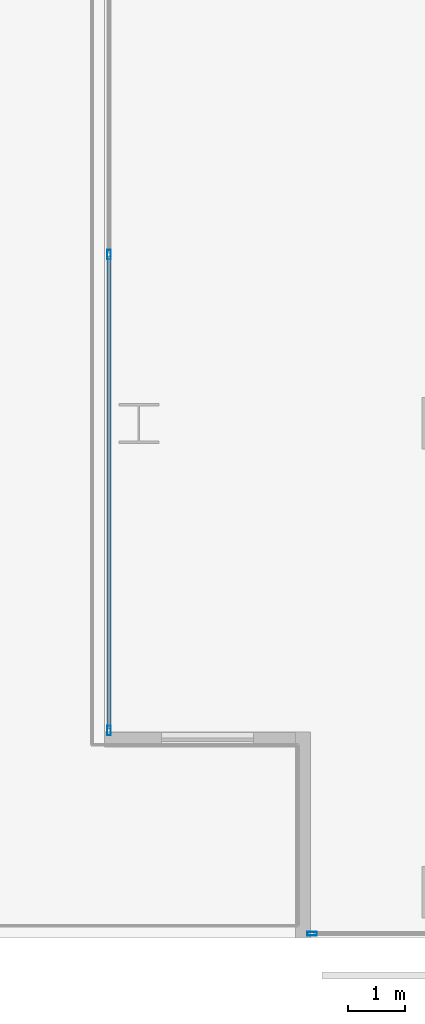
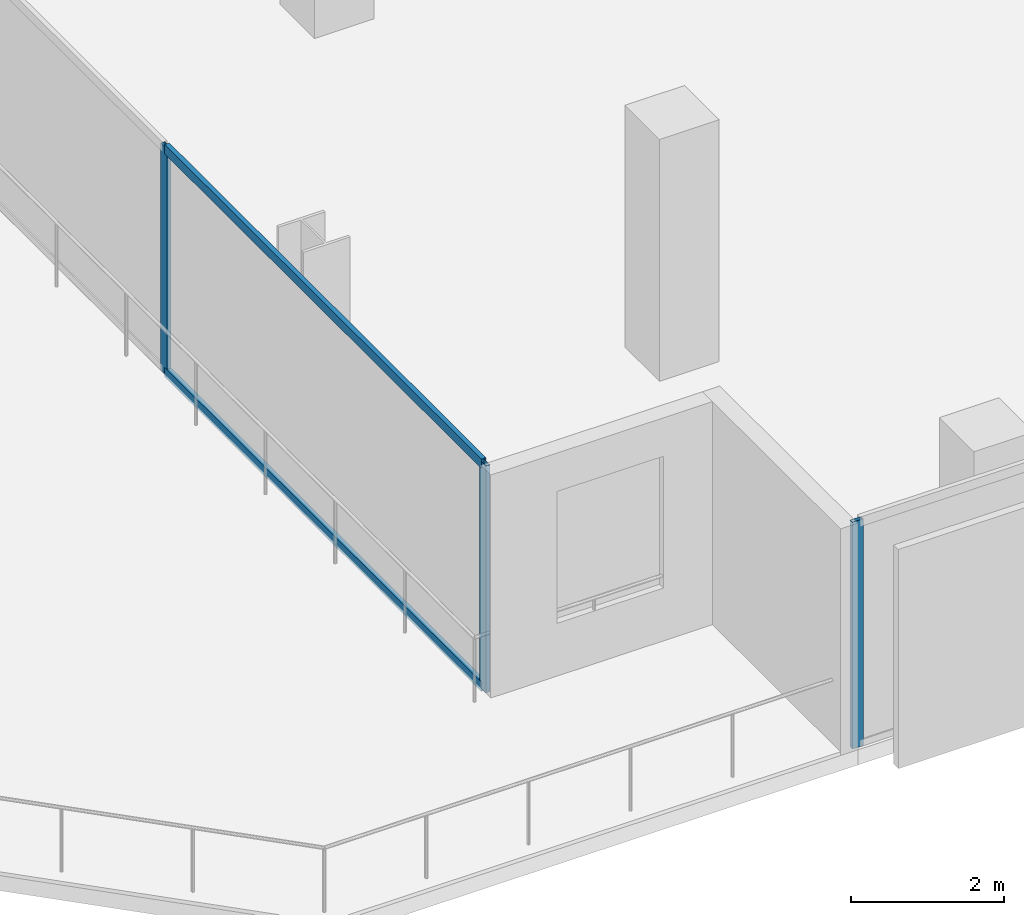
# One storey, part 2 of 31: 5 members, 2 elements without a shape of their own.
"""IFC4 building model written with IfcOpenShell, lengths in metres."""

import ifcopenshell
import ifcopenshell.guid

model = None  # the IFC model being written
_history = None  # IfcOwnerHistory: only IFC2X3 demands one
_inside = {}  # id of a spatial element -> (the spatial element, [elements in it])
_under = {}  # id of a project, library or spatial element -> (it, [spatial elements below it])
_declared = {}  # id of a project -> (the project, [libraries it declares])
_typed = {}  # id of a type object -> (the type object, [elements of that type])
_made_of = {}  # id of a material, layer set ... -> (it, [elements and type objects made of it])


def new_model(schema):
    """Start an empty IFC model of exactly this schema.

    Asked for "IFC4X3", IfcOpenShell would pick the latest addendum, in which some entities
    have other attributes; the version numbers below select the first issue.
    IFC2X3 requires an IfcOwnerHistory on every rooted entity: one is made here for all.
    """
    global model, _history
    if schema == "IFC4X3":
        model = ifcopenshell.file(schema_version=(4, 3, 0, 0))
    else:
        model = ifcopenshell.file(schema=schema)
    _inside.clear()
    _under.clear()
    _declared.clear()
    _typed.clear()
    _made_of.clear()
    _history = None
    if model.schema == "IFC2X3":
        org = make("IfcOrganization", Name="unknown")
        user = make(
            "IfcPersonAndOrganization",
            ThePerson=make("IfcPerson", FamilyName="unknown"),
            TheOrganization=org,
        )
        app = make(
            "IfcApplication",
            ApplicationDeveloper=org,
            Version="unknown",
            ApplicationFullName="unknown",
            ApplicationIdentifier="unknown",
        )
        _history = make(
            "IfcOwnerHistory",
            OwningUser=user,
            OwningApplication=app,
            ChangeAction="ADDED",
            CreationDate=0,
        )
    return model


def make(cls, **values):
    """One entity of the class cls with the attributes given. An attribute that is None is left unset."""
    return model.create_entity(
        cls, **{name: value for name, value in values.items() if value is not None}
    )


def rooted(cls, **values):
    """An entity with a GlobalId (a new one), such as an element, a storey or a relation."""
    return make(cls, GlobalId=ifcopenshell.guid.new(), OwnerHistory=_history, **values)


def si_unit(unit_type, name, prefix=None):
    """IfcSIUnit, for example si_unit("LENGTHUNIT", "METRE", prefix="MILLI")."""
    return make("IfcSIUnit", UnitType=unit_type, Prefix=prefix, Name=name)


def assignment(units):
    """IfcUnitAssignment: the units of a project."""
    return None if units is None else make("IfcUnitAssignment", Units=units)


def point(xyz):
    """IfcCartesianPoint."""
    return None if xyz is None else make("IfcCartesianPoint", Coordinates=xyz)


def direction(xyz):
    """IfcDirection."""
    return None if xyz is None else make("IfcDirection", DirectionRatios=xyz)


def frame(location, z_axis=None, x_axis=None):
    """IfcAxis2Placement3D, a coordinate frame: its origin and axes. An axis left out is left unset."""
    return make(
        "IfcAxis2Placement3D",
        Location=point(location),
        Axis=direction(z_axis),
        RefDirection=direction(x_axis),
    )


def frame_2d(location, x_axis=None):
    """IfcAxis2Placement2D, a coordinate frame in the plane: its origin and x axis."""
    return make(
        "IfcAxis2Placement2D", Location=point(location), RefDirection=direction(x_axis)
    )


def origin():
    """The frame at (0, 0, 0) with its axes left unset."""
    return frame((0.0, 0.0, 0.0))


def origin_2d():
    """The frame at (0, 0) in the plane with its x axis left unset."""
    return frame_2d((0.0, 0.0))


def place(relative_to, where):
    """IfcLocalPlacement: puts the frame where relative to a parent placement (None: the world)."""
    return make(
        "IfcLocalPlacement", PlacementRelTo=relative_to, RelativePlacement=where
    )


def context(
    kind, dimensions, precision=None, world=None, true_north=None, identifier=None
):
    """IfcGeometricRepresentationContext, for example the 3D "Model" context."""
    return make(
        "IfcGeometricRepresentationContext",
        ContextIdentifier=identifier,
        ContextType=kind,
        CoordinateSpaceDimension=dimensions,
        Precision=precision,
        WorldCoordinateSystem=world,
        TrueNorth=true_north,
    )


def subcontext(parent, identifier, kind, view, scale=None):
    """IfcGeometricRepresentationSubContext, for example "Body" below "Model"."""
    return make(
        "IfcGeometricRepresentationSubContext",
        ContextIdentifier=identifier,
        ContextType=kind,
        ParentContext=parent,
        TargetScale=scale,
        TargetView=view,
    )


def project(units=None, contexts=None):
    """IfcProject with its units and contexts."""
    return rooted(
        "IfcProject",
        Name="project",
        RepresentationContexts=contexts,
        UnitsInContext=assignment(units),
    )


def spatial(cls, under=None, at=None, **own):
    """A site, building, storey or space (cls), placed at a placement, below another one or the project."""
    s = rooted(cls, ObjectPlacement=at, **own)
    if under is not None:
        _under.setdefault(under.id(), (under, []))[1].append(s)
    return s


def profile(cls, at=None, kind="AREA", **sizes):
    """A parametric profile (cls). Its sizes go by their IFC names, for example OverallWidth=200.0."""
    return make(cls, ProfileType=kind, Position=at, **sizes)


def hollow_rectangle(**sizes):
    """IfcRectangleHollowProfileDef."""
    return profile("IfcRectangleHollowProfileDef", **sizes)


def extrude(swept, where, along, depth):
    """IfcExtrudedAreaSolid: the profile swept, set in the frame where, extruded along a direction by depth."""
    return make(
        "IfcExtrudedAreaSolid",
        SweptArea=swept,
        Position=where,
        ExtrudedDirection=direction(along),
        Depth=depth,
    )


def shape(context_of_items, identifier, shape_type, items):
    """IfcShapeRepresentation: the items that make up one representation, for example the "Body"."""
    return make(
        "IfcShapeRepresentation",
        ContextOfItems=context_of_items,
        RepresentationIdentifier=identifier,
        RepresentationType=shape_type,
        Items=items,
    )


def material(Name=None, Category=None):
    """IfcMaterial."""
    return make("IfcMaterial", Name=Name, Category=Category)


def layer(
    of_material, thickness, ventilated=None, Name=None, Category=None, Priority=None
):
    """IfcMaterialLayer: one layer of a wall or slab, of a material (None: an air gap)."""
    return make(
        "IfcMaterialLayer",
        Material=of_material,
        LayerThickness=thickness,
        IsVentilated=ventilated,
        Name=Name,
        Category=Category,
        Priority=Priority,
    )


def layer_set(layers, Name=None):
    """IfcMaterialLayerSet."""
    return make("IfcMaterialLayerSet", MaterialLayers=layers, LayerSetName=Name)


def material_profile(
    of_material, cross_section, Name=None, Category=None, Priority=None
):
    """IfcMaterialProfile: a cross section and its material."""
    return make(
        "IfcMaterialProfile",
        Name=Name,
        Material=of_material,
        Profile=cross_section,
        Priority=Priority,
        Category=Category,
    )


def profile_set(profiles, Name=None, composite=None):
    """IfcMaterialProfileSet."""
    return make(
        "IfcMaterialProfileSet",
        Name=Name,
        MaterialProfiles=profiles,
        CompositeProfile=composite,
    )


def made_of(thing, what):
    """Note that an element or type object is made of a material, layer set ...; save() writes the relation."""
    if what is not None:
        _made_of.setdefault(what.id(), (what, []))[1].append(thing)
    return thing


def type_object(cls, material=None, **own):
    """A type object (cls), such as IfcWallType, which elements share."""
    return made_of(rooted(cls, **own), material)


def element(
    cls,
    number,
    at=None,
    inside=None,
    cuts=None,
    type_object=None,
    material=None,
    context=None,
    identifier="Body",
    shape_type=None,
    held_by="IfcProductDefinitionShape",
    body=None,
    shapes=None,
    **own,
):
    """One element of the class cls, such as IfcWall. Its Tag is "e" and its number.

    at: its placement. inside: the storey or other place that contains it. cuts: it is an
    opening in that element (IfcRelVoidsElement). A single representation is given by context,
    identifier, shape_type and body (its items); several are given by shapes. held_by: the class
    of the entity that holds the representations. save() writes the other relations.
    """
    e = rooted(cls, Tag="e%d" % number, ObjectPlacement=at, **own)
    if body is not None:
        shapes = [shape(context, identifier, shape_type, body)]
    if shapes is not None:
        e.Representation = make(held_by, Representations=shapes)
    if inside is not None:
        _inside.setdefault(inside.id(), (inside, []))[1].append(e)
    if cuts is not None:
        rooted(
            "IfcRelVoidsElement", RelatingBuildingElement=cuts, RelatedOpeningElement=e
        )
    if type_object is not None:
        _typed.setdefault(type_object.id(), (type_object, []))[1].append(e)
    return made_of(e, material)


def aggregate(whole, parts):
    """IfcRelAggregates: a whole, such as a stair, and the parts it consists of."""
    return rooted("IfcRelAggregates", RelatingObject=whole, RelatedObjects=parts)


def save(model, path):
    """Write the relations noted so far, then the file.

    IfcRelAggregates (storeys below a building ...), IfcRelContainedInSpatialStructure (elements
    in a storey), IfcRelDefinesByType, IfcRelAssociatesMaterial and IfcRelDeclares: one each for
    every whole, place, type object, material and project.
    """
    for whole, parts in _under.values():
        aggregate(whole, parts)
    for where, things in _inside.values():
        rooted(
            "IfcRelContainedInSpatialStructure",
            RelatedElements=things,
            RelatingStructure=where,
        )
    for kind, things in _typed.values():
        rooted("IfcRelDefinesByType", RelatedObjects=things, RelatingType=kind)
    for what, things in _made_of.values():
        rooted("IfcRelAssociatesMaterial", RelatedObjects=things, RelatingMaterial=what)
    for by, libraries in _declared.values():
        rooted("IfcRelDeclares", RelatingContext=by, RelatedDefinitions=libraries)
    model.write(path)


model = new_model("IFC4")

# Units and contexts
model_context = context("Model", 3, precision=1e-05, world=origin(), true_north=direction((0.0, 1.0)))
body_context = subcontext(model_context, "Body", "Model", "MODEL_VIEW")
ifc_project = project(units=[si_unit("LENGTHUNIT", "METRE"), si_unit("AREAUNIT", "SQUARE_METRE"), si_unit("VOLUMEUNIT", "CUBIC_METRE"), si_unit("PLANEANGLEUNIT", "RADIAN"), si_unit("MASSUNIT", "GRAM", prefix="KILO")], contexts=[model_context])

# Site, building, storey
site_placement = place(None, origin())
site = spatial("IfcSite", under=ifc_project, at=site_placement, CompositionType="ELEMENT")
building_placement = place(site_placement, origin())
building = spatial("IfcBuilding", under=site, at=building_placement, Name="Maruvema Waterfront Hotel and Observation Tower", CompositionType="ELEMENT")
storey_placement = place(building_placement, frame((0.0, 0.0, 26.949951171875)))
storey = spatial("IfcBuildingStorey", under=building, at=storey_placement, Name="L05", CompositionType="ELEMENT", Elevation=26.949951171875)

# Curtain wall, members
ifc_material_1 = material(Name="Anodised bronze aluminium and solar-control low-E IGU", Category="aluminium")
ifc_layer = layer(ifc_material_1, 0.159912109375, Name="Zone 1 Bronze Inner Thermal Curtain Wall System CW-02")
ifc_layer_set = layer_set([ifc_layer], Name="Anodised bronze aluminium and solar-control low-E IGU")
curtain_wall_type = type_object("IfcCurtainWallType", Name="Zone 1 Bronze Inner Thermal Curtain Wall System CW-02", PredefinedType="USERDEFINED", material=ifc_layer_set)
curtain_wall_1_placement = place(storey_placement, origin())
curtain_wall_1 = element("IfcCurtainWall", 1, at=curtain_wall_1_placement, inside=storey, type_object=curtain_wall_type, Name="L05 Curtain Wall CW-L05-WS", ObjectType="UNITISED CURTAIN WALL", PredefinedType="USERDEFINED")
ifc_material_2 = material(Name="Anodised architectural bronze aluminium", Category="aluminium")
ifc_material_profile_1 = material_profile(ifc_material_2, hollow_rectangle(XDim=0.070068359375, YDim=0.14990234375, WallThickness=0.00390625, at=origin_2d()), Name="ALU-T70x150")
ifc_profile_set_1 = profile_set([ifc_material_profile_1], Name="Anodised architectural bronze aluminium")
member_type_1 = type_object("IfcMemberType", Name="Curtain Wall Horizontal Transom ALU-T70x150", PredefinedType="USERDEFINED", material=ifc_profile_set_1)
member_1_placement = place(storey_placement, frame((10.8798828125, 11.919921875, 0.030029296875), z_axis=(0.0, -1.0, 0.0), x_axis=(1.0, 0.0, 0.0)))
member_1 = element("IfcMember", 2, at=member_1_placement, type_object=member_type_1, Name="CW-02 transom 2.1", ObjectType="TRANSOM", PredefinedType="USERDEFINED", context=body_context, shape_type="SweptSolid", body=[
    extrude(hollow_rectangle(XDim=0.070068359375, YDim=0.14990234375, WallThickness=0.00390625, at=origin_2d()), origin(), (0.0, 0.0, 1.0), 8.260009765625),
])
member_2_placement = place(storey_placement, frame((10.8798828125, 11.919921875, 3.580078125), z_axis=(0.0, -1.0, 0.0), x_axis=(1.0, 0.0, 0.0)))
member_2 = element("IfcMember", 3, at=member_2_placement, type_object=member_type_1, Name="CW-02 transom 2.2", ObjectType="TRANSOM", PredefinedType="USERDEFINED", context=body_context, shape_type="SweptSolid", body=[
    extrude(hollow_rectangle(XDim=0.070068359375, YDim=0.14990234375, WallThickness=0.00390625, at=origin_2d()), origin(), (0.0, 0.0, 1.0), 8.260009765625),
])

# Curtain wall, member
curtain_wall_2_placement = place(storey_placement, origin())
curtain_wall_2 = element("IfcCurtainWall", 4, at=curtain_wall_2_placement, inside=storey, type_object=curtain_wall_type, Name="L05 Curtain Wall CW-L05-S", ObjectType="UNITISED CURTAIN WALL", PredefinedType="USERDEFINED")
ifc_material_3 = material(Name="Anodised architectural bronze aluminium", Category="aluminium")
ifc_material_profile_2 = material_profile(ifc_material_3, hollow_rectangle(XDim=0.06494140625, YDim=0.1650390625, WallThickness=0.00390625, at=origin_2d()), Name="ALU-M65x165")
ifc_profile_set_2 = profile_set([ifc_material_profile_2], Name="Anodised architectural bronze aluminium")
member_type_2 = type_object("IfcMemberType", Name="Curtain Wall Primary Mullion ALU-M65x165", PredefinedType="MULLION", material=ifc_profile_set_2)
member_3_placement = place(storey_placement, frame((14.429931640625, 0.080078125, 0.0), z_axis=(0.0, 0.0, 1.0), x_axis=(0.0, 1.0, 0.0)))
member_3 = element("IfcMember", 5, at=member_3_placement, type_object=member_type_2, Name="CW-02 mullion 1", PredefinedType="MULLION", context=body_context, shape_type="SweptSolid", body=[
    extrude(hollow_rectangle(XDim=0.06494140625, YDim=0.1650390625, WallThickness=0.00390625, at=origin_2d()), origin(), (0.0, 0.0, 1.0), 3.610107421875),
])
aggregate(curtain_wall_2, [member_3])

# Member
member_4_placement = place(storey_placement, frame((10.8798828125, 11.949951171875, 0.0), z_axis=(0.0, 0.0, 1.0), x_axis=(1.0, 0.0, 0.0)))
member_4 = element("IfcMember", 6, at=member_4_placement, type_object=member_type_2, Name="CW-02 mullion 2", PredefinedType="MULLION", context=body_context, shape_type="SweptSolid", body=[
    extrude(hollow_rectangle(XDim=0.06494140625, YDim=0.1650390625, WallThickness=0.00390625, at=origin_2d()), origin(), (0.0, 0.0, 1.0), 3.610107421875),
])

member_5_placement = place(storey_placement, frame((10.8798828125, 3.6298828125, 0.0), z_axis=(0.0, 0.0, 1.0), x_axis=(1.0, 0.0, 0.0)))
member_5 = element("IfcMember", 7, at=member_5_placement, type_object=member_type_2, Name="CW-02 mullion 3", PredefinedType="MULLION", context=body_context, shape_type="SweptSolid", body=[
    extrude(hollow_rectangle(XDim=0.06494140625, YDim=0.1650390625, WallThickness=0.00390625, at=origin_2d()), origin(), (0.0, 0.0, 1.0), 3.610107421875),
])

aggregate(curtain_wall_1, [member_4, member_5, member_1, member_2])

save(model, "model.ifc")
